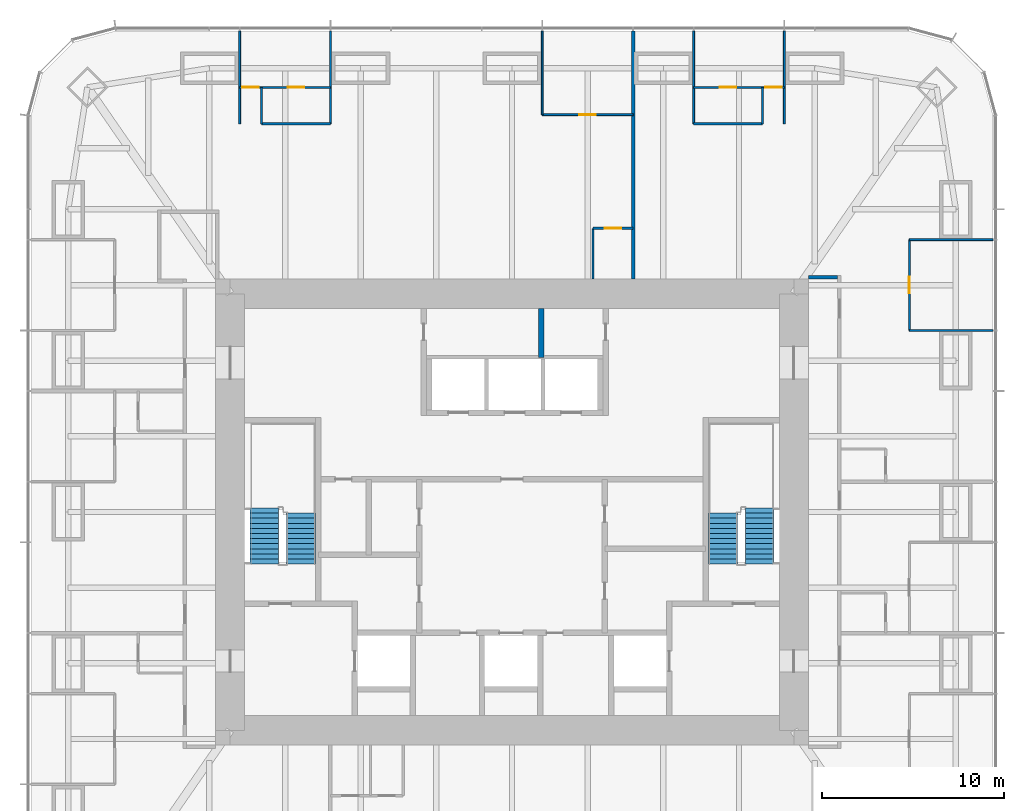
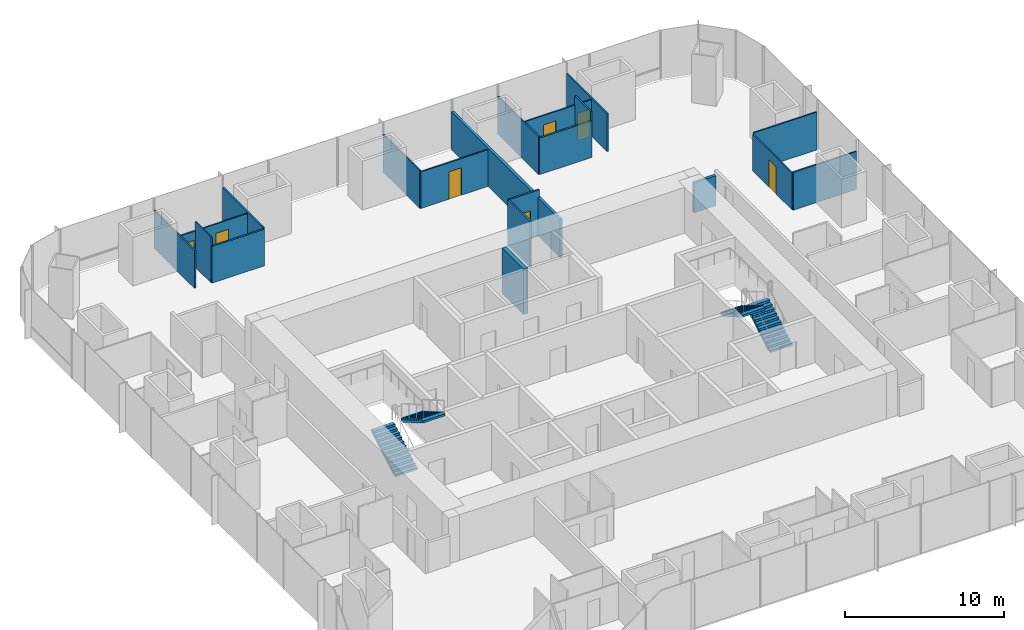
# One storey, part 11 of 12: 20 walls, 7 doors, 4 stair flights, 7 openings, 2 elements without a shape of their own.
"""IFC4 building model written with IfcOpenShell, lengths in metres."""

from ifc_helpers import new_model, si_unit, direction, frame, frame_2d, origin, place, context, subcontext, project, spatial, polyline, rectangle, outline, extrude, material, layer, layer_set, type_object, element, fill, aggregate, save


model = new_model("IFC4")

# Units and contexts
model_context = context("Model", 3, precision=1e-05, world=origin(), true_north=direction((0.0, 1.0)))
body_context = subcontext(model_context, "Body", "Model", "MODEL_VIEW")
ifc_project = project(units=[si_unit("LENGTHUNIT", "METRE"), si_unit("AREAUNIT", "SQUARE_METRE"), si_unit("VOLUMEUNIT", "CUBIC_METRE"), si_unit("PLANEANGLEUNIT", "RADIAN"), si_unit("MASSUNIT", "GRAM", prefix="KILO")], contexts=[model_context])

# Site, building, storey
site_placement = place(None, origin())
site = spatial("IfcSite", under=ifc_project, at=site_placement, CompositionType="ELEMENT")
building_placement = place(site_placement, origin())
building = spatial("IfcBuilding", under=site, at=building_placement, Name="Khuree Lantern Residences", CompositionType="ELEMENT")
storey_placement = place(building_placement, frame((0.0, 0.0, 203.25)))
storey = spatial("IfcBuildingStorey", under=building, at=storey_placement, Name="L50", CompositionType="ELEMENT", Elevation=203.25)

# Walls
ifc_material_1 = material(Name="Moisture-resistant gypsum board on steel studs", Category="steel")
ifc_layer_1 = layer(ifc_material_1, 0.125)
ifc_layer_set_1 = layer_set([ifc_layer_1], Name="BATHROOM WALL BTW125")
wall_type_1 = type_object("IfcWallType", Name="BATHROOM WALL BTW125", PredefinedType="PARTITIONING", material=ifc_layer_set_1)
for number, where, z_axis, x_axis, name in (
    (1, (13.77587890625, 21.344970703125, 0.0), (0.0, 0.0, 1.0), (-1.0, 0.0, 0.0), "L50 BATHROOM WALL 02"),
    (2, (-9.98388671875, 21.344970703125, 0.0), (0.0, 0.0, 1.0), (-1.0, 0.0, 0.0), "L50 BATHROOM WALL 03"),
):
    element("IfcWall", number, at=place(storey_placement, frame(where, z_axis=z_axis, x_axis=x_axis)), inside=storey, type_object=wall_type_1, Name=name, PredefinedType="PARTITIONING", context=body_context, shape_type="SweptSolid", body=[
        extrude(rectangle(XDim=3.7919921875, YDim=0.125, at=frame_2d((1.89599609375, 0.0))), origin(), (0.0, 0.0, 1.0), 2.81005859375),
    ])

# Wall, opening, door
wall_1_placement = place(storey_placement, frame((6.656005859375, 15.60009765625, 0.0), z_axis=(0.0, 0.0, 1.0), x_axis=(-1.0, 0.0, 0.0)))
wall_1 = element("IfcWall", 3, at=wall_1_placement, inside=storey, type_object=wall_type_1, Name="L50 BATHROOM WALL 03", PredefinedType="PARTITIONING", context=body_context, shape_type="SweptSolid", body=[
    extrude(rectangle(XDim=2.199951171875, YDim=0.125, at=frame_2d((1.10009765625, 0.0))), origin(), (0.0, 0.0, 1.0), 3.5),
])
opening_1_placement = place(wall_1_placement, frame((0.64990234375, 0.0, 0.0)))
opening_1 = element("IfcOpeningElement", 4, at=opening_1_placement, cuts=wall_1, Name="Opening 50-035", PredefinedType="OPENING", context=body_context, shape_type="SweptSolid", body=[
    extrude(rectangle(XDim=0.89990234375, YDim=2.10009765625, at=frame_2d((0.449951171875, 1.050048828125))), frame((0.0, 0.072509765625, 0.0), z_axis=(0.0, -1.0, 0.0), x_axis=(1.0, 0.0, 0.0)), (0.0, 0.0, 1.0), 0.14501953125),
])
ifc_material_2 = material(Name="Timber door leaf in hardwood frame", Category="wood")
door_type_1 = type_object("IfcDoorType", Name="BATHROOM DOOR 900X2100", OperationType="SINGLE_SWING_LEFT", PredefinedType="DOOR", material=ifc_material_2)
door_1_placement = place(opening_1_placement, origin())
door_1 = element("IfcDoor", 5, at=door_1_placement, inside=storey, type_object=door_type_1, Name="Bathroom door 50-035", OperationType="SINGLE_SWING_LEFT", OverallHeight=2.10009765625, OverallWidth=0.89990234375, PredefinedType="DOOR", context=body_context, shape_type="SweptSolid", body=[
    extrude(rectangle(XDim=0.89990234375, YDim=2.10009765625, at=frame_2d((0.449951171875, 1.050048828125))), frame((0.0, 0.02490234375, 0.0), z_axis=(0.0, -1.0, 0.0), x_axis=(1.0, 0.0, 0.0)), (0.0, 0.0, 1.0), 0.050048828125),
])
fill(opening_1, door_1)

# Walls
wall_2_placement = place(storey_placement, frame((4.4560546875, 12.800048828125, 0.0), z_axis=(0.0, 0.0, 1.0), x_axis=(0.0, 1.0, 0.0)))
element("IfcWall", 6, at=wall_2_placement, inside=storey, type_object=wall_type_1, Name="L50 BATHROOM WALL 03", PredefinedType="PARTITIONING", context=body_context, shape_type="SweptSolid", body=[
    extrude(rectangle(XDim=2.800048828125, YDim=0.125, at=frame_2d((1.39990234375, 0.0))), origin(), (0.0, 0.0, 1.0), 3.5),
])
ifc_material_3 = material(Name="Dense concrete blockwork", Category="masonry")
ifc_layer_2 = layer(ifc_material_3, 0.300048828125)
ifc_layer_set_2 = layer_set([ifc_layer_2], Name="CORE PARTITION WALL CPW300 EI 120")
wall_type_2 = type_object("IfcWallType", Name="CORE PARTITION WALL CPW300 EI 120", PredefinedType="PARTITIONING", material=ifc_layer_set_2)
wall_3_placement = place(storey_placement, frame((1.60009765625, 8.5, 0.0), z_axis=(0.0, 0.0, 1.0), x_axis=(0.0, 1.0, 0.0)))
element("IfcWall", 7, at=wall_3_placement, inside=storey, type_object=wall_type_2, Name="L50 CORE WALL NX", PredefinedType="PARTITIONING", context=body_context, shape_type="SweptSolid", body=[
    extrude(rectangle(XDim=2.699951171875, YDim=0.300048828125, at=frame_2d((1.35009765625, 0.0))), origin(), (0.0, 0.0, 1.0), 3.5),
])
ifc_material_4 = material(Name="Gypsum board on steel studs", Category="steel")
ifc_layer_3 = layer(ifc_material_4, 0.199951171875)
ifc_layer_set_3 = layer_set([ifc_layer_3], Name="CORRIDOR WALL CRW200 EI 60")
wall_type_3 = type_object("IfcWallType", Name="CORRIDOR WALL CRW200 EI 60", PredefinedType="PARTITIONING", material=ifc_layer_set_3)
wall_4_placement = place(storey_placement, frame((16.300048828125, 12.89990234375, 0.0), z_axis=(0.0, 0.0, 1.0), x_axis=(1.0, 0.0, 0.0)))
element("IfcWall", 8, at=wall_4_placement, inside=storey, type_object=wall_type_3, Name="L50 EAST CORRIDOR NORTH END WALL", PredefinedType="PARTITIONING", context=body_context, shape_type="SweptSolid", body=[
    extrude(rectangle(XDim=1.599853515625, YDim=0.199951171875, at=frame_2d((0.7998046875, 0.0))), origin(), (0.0, 0.0, 1.0), 2.300048828125),
])
ifc_layer_4 = layer(ifc_material_4, 0.199951171875)
ifc_layer_set_4 = layer_set([ifc_layer_4], Name="DEMISING WALL DMW200 EI 90")
wall_type_4 = type_object("IfcWallType", Name="DEMISING WALL DMW200 EI 90", PredefinedType="PARTITIONING", material=ifc_layer_set_4)
wall_5_placement = place(storey_placement, frame((6.656005859375, 12.800048828125, 0.0), z_axis=(0.0, 0.0, 1.0), x_axis=(0.0, 1.0, 0.0)))
element("IfcWall", 9, at=wall_5_placement, inside=storey, type_object=wall_type_4, Name="L50 DEMISING WALL 03", PredefinedType="PARTITIONING", context=body_context, shape_type="SweptSolid", body=[
    extrude(rectangle(XDim=13.64990234375, YDim=0.199951171875, at=frame_2d((6.824951171875, 0.0))), origin(), (0.0, 0.0, 1.0), 2.909912109375),
])
ifc_layer_5 = layer(ifc_material_4, 0.10009765625)
ifc_layer_set_5 = layer_set([ifc_layer_5], Name="PARTITION PT100")
wall_type_5 = type_object("IfcWallType", Name="PARTITION PT100", PredefinedType="PARTITIONING", material=ifc_layer_set_5)
for number, where, z_axis, x_axis, name in (
    (10, (21.85009765625, 9.98388671875, 0.0), (0.0, 0.0, 1.0), (1.0, 0.0, 0.0), "L50 PARTITION 02"),
    (11, (21.85009765625, 14.97607421875, 0.0), (0.0, 0.0, 1.0), (1.0, 0.0, 0.0), "L50 PARTITION 02"),
):
    element("IfcWall", number, at=place(storey_placement, frame(where, z_axis=z_axis, x_axis=x_axis)), inside=storey, type_object=wall_type_5, Name=name, PredefinedType="PARTITIONING", context=body_context, shape_type="SweptSolid", body=[
        extrude(rectangle(XDim=4.599853515625, YDim=0.10009765625, at=frame_2d((2.2998046875, 0.0))), origin(), (0.0, 0.0, 1.0), 2.909912109375),
    ])
for number, where, z_axis, x_axis, name in (
    (12, (14.97607421875, 21.344970703125, 0.0), (0.0, 0.0, 1.0), (0.0, 1.0, 0.0), "L50 PARTITION 02"),
    (13, (9.98388671875, 21.344970703125, 0.0), (0.0, 0.0, 1.0), (0.0, 1.0, 0.0), "L50 PARTITION 02"),
):
    element("IfcWall", number, at=place(storey_placement, frame(where, z_axis=z_axis, x_axis=x_axis)), inside=storey, type_object=wall_type_5, Name=name, PredefinedType="PARTITIONING", context=body_context, shape_type="SweptSolid", body=[
        extrude(rectangle(XDim=5.10498046875, YDim=0.10009765625, at=frame_2d((2.552490234375, 0.0))), origin(), (0.0, 0.0, 1.0), 2.909912109375),
    ])
wall_6_placement = place(storey_placement, frame((1.6640625, 21.85009765625, 0.0), z_axis=(0.0, 0.0, 1.0), x_axis=(0.0, 1.0, 0.0)))
element("IfcWall", 14, at=wall_6_placement, inside=storey, type_object=wall_type_5, Name="L50 PARTITION 03", PredefinedType="PARTITIONING", context=body_context, shape_type="SweptSolid", body=[
    extrude(rectangle(XDim=4.599853515625, YDim=0.10009765625, at=frame_2d((2.2998046875, 0.0))), origin(), (0.0, 0.0, 1.0), 2.909912109375),
])
for number, where, z_axis, x_axis, name in (
    (15, (-9.98388671875, 21.344970703125, 0.0), (0.0, 0.0, 1.0), (0.0, 1.0, 0.0), "L50 PARTITION 03"),
    (16, (-14.97607421875, 21.344970703125, 0.0), (0.0, 0.0, 1.0), (0.0, 1.0, 0.0), "L50 PARTITION 03"),
):
    element("IfcWall", number, at=place(storey_placement, frame(where, z_axis=z_axis, x_axis=x_axis)), inside=storey, type_object=wall_type_5, Name=name, PredefinedType="PARTITIONING", context=body_context, shape_type="SweptSolid", body=[
        extrude(rectangle(XDim=5.10498046875, YDim=0.10009765625, at=frame_2d((2.552490234375, 0.0))), origin(), (0.0, 0.0, 1.0), 2.909912109375),
    ])

# Wall, opening, door
wall_7_placement = place(storey_placement, frame((21.85009765625, 9.98388671875, 0.0), z_axis=(0.0, 0.0, 1.0), x_axis=(0.0, 1.0, 0.0)))
wall_7 = element("IfcWall", 17, at=wall_7_placement, inside=storey, type_object=wall_type_5, Name="L50 PARTITION 02", PredefinedType="PARTITIONING", context=body_context, shape_type="SweptSolid", body=[
    extrude(rectangle(XDim=4.9921875, YDim=0.10009765625, at=frame_2d((2.49609375, 0.0))), origin(), (0.0, 0.0, 1.0), 2.81005859375),
])
opening_2_placement = place(wall_7_placement, frame((2.0458984375, 0.0, 0.0)))
opening_2 = element("IfcOpeningElement", 18, at=opening_2_placement, cuts=wall_7, Name="Opening 50-026", PredefinedType="OPENING", context=body_context, shape_type="SweptSolid", body=[
    extrude(rectangle(XDim=0.89990234375, YDim=2.10009765625, at=frame_2d((0.449951171875, 1.050048828125))), frame((0.0, 0.06005859375, 0.0), z_axis=(0.0, -1.0, 0.0), x_axis=(1.0, 0.0, 0.0)), (0.0, 0.0, 1.0), 0.1201171875),
])
door_type_2 = type_object("IfcDoorType", Name="BEDROOM DOOR 900X2100", OperationType="SINGLE_SWING_LEFT", PredefinedType="DOOR", material=ifc_material_2)
door_2_placement = place(opening_2_placement, origin())
door_2 = element("IfcDoor", 19, at=door_2_placement, inside=storey, type_object=door_type_2, Name="Bedroom door 50-026", OperationType="SINGLE_SWING_LEFT", OverallHeight=2.10009765625, OverallWidth=0.89990234375, PredefinedType="DOOR", context=body_context, shape_type="SweptSolid", body=[
    extrude(rectangle(XDim=0.89990234375, YDim=2.10009765625, at=frame_2d((0.449951171875, 1.050048828125))), frame((0.0, 0.02490234375, 0.0), z_axis=(0.0, -1.0, 0.0), x_axis=(1.0, 0.0, 0.0)), (0.0, 0.0, 1.0), 0.050048828125),
])
fill(opening_2, door_2)

# Wall, openings, doors
wall_8_placement = place(storey_placement, frame((14.97607421875, 23.344970703125, 0.0), z_axis=(0.0, 0.0, 1.0), x_axis=(-1.0, 0.0, 0.0)))
wall_8 = element("IfcWall", 20, at=wall_8_placement, inside=storey, type_object=wall_type_5, Name="L50 PARTITION 02", PredefinedType="PARTITIONING", context=body_context, shape_type="SweptSolid", body=[
    extrude(rectangle(XDim=4.9921875, YDim=0.10009765625, at=frame_2d((2.49609375, 0.0))), origin(), (0.0, 0.0, 1.0), 2.81005859375),
])
opening_3_placement = place(wall_8_placement, frame((0.14990234375, 0.0, 0.0)))
opening_3 = element("IfcOpeningElement", 21, at=opening_3_placement, cuts=wall_8, Name="Opening 50-027", PredefinedType="OPENING", context=body_context, shape_type="SweptSolid", body=[
    extrude(rectangle(XDim=0.89990234375, YDim=2.10009765625, at=frame_2d((0.449951171875, 1.050048828125))), frame((0.0, 0.06005859375, 0.0), z_axis=(0.0, -1.0, 0.0), x_axis=(1.0, 0.0, 0.0)), (0.0, 0.0, 1.0), 0.1201171875),
])
opening_4_placement = place(wall_8_placement, frame((2.64599609375, 0.0, 0.0)))
opening_4 = element("IfcOpeningElement", 22, at=opening_4_placement, cuts=wall_8, Name="Opening 50-028", PredefinedType="OPENING", context=body_context, shape_type="SweptSolid", body=[
    extrude(rectangle(XDim=0.89990234375, YDim=2.10009765625, at=frame_2d((0.449951171875, 1.050048828125))), frame((0.0, 0.06005859375, 0.0), z_axis=(0.0, -1.0, 0.0), x_axis=(1.0, 0.0, 0.0)), (0.0, 0.0, 1.0), 0.1201171875),
])
door_3_placement = place(opening_4_placement, origin())
door_3 = element("IfcDoor", 23, at=door_3_placement, inside=storey, type_object=door_type_1, Name="Bathroom door 50-028", OperationType="SINGLE_SWING_LEFT", OverallHeight=2.10009765625, OverallWidth=0.89990234375, PredefinedType="DOOR", context=body_context, shape_type="SweptSolid", body=[
    extrude(rectangle(XDim=0.89990234375, YDim=2.10009765625, at=frame_2d((0.449951171875, 1.050048828125))), frame((0.0, 0.02490234375, 0.0), z_axis=(0.0, -1.0, 0.0), x_axis=(1.0, 0.0, 0.0)), (0.0, 0.0, 1.0), 0.050048828125),
])
fill(opening_4, door_3)
door_4_placement = place(opening_3_placement, origin())
door_4 = element("IfcDoor", 24, at=door_4_placement, inside=storey, type_object=door_type_2, Name="Bedroom door 50-027", OperationType="SINGLE_SWING_LEFT", OverallHeight=2.10009765625, OverallWidth=0.89990234375, PredefinedType="DOOR", context=body_context, shape_type="SweptSolid", body=[
    extrude(rectangle(XDim=0.89990234375, YDim=2.10009765625, at=frame_2d((0.449951171875, 1.050048828125))), frame((0.0, 0.02490234375, 0.0), z_axis=(0.0, -1.0, 0.0), x_axis=(1.0, 0.0, 0.0)), (0.0, 0.0, 1.0), 0.050048828125),
])
fill(opening_3, door_4)

# Wall
wall_9_placement = place(storey_placement, frame((13.77587890625, 21.344970703125, 0.0), z_axis=(0.0, 0.0, 1.0), x_axis=(0.0, 1.0, 0.0)))
element("IfcWall", 25, at=wall_9_placement, inside=storey, type_object=wall_type_5, Name="L50 PARTITION 02", PredefinedType="PARTITIONING", context=body_context, shape_type="SweptSolid", body=[
    extrude(rectangle(XDim=2.0, YDim=0.10009765625, at=frame_2d((1.0, 0.0))), origin(), (0.0, 0.0, 1.0), 3.5),
])

# Wall, opening, door
wall_10_placement = place(storey_placement, frame((6.656005859375, 21.85009765625, 0.0), z_axis=(0.0, 0.0, 1.0), x_axis=(-1.0, 0.0, 0.0)))
wall_10 = element("IfcWall", 26, at=wall_10_placement, inside=storey, type_object=wall_type_5, Name="L50 PARTITION 03", PredefinedType="PARTITIONING", context=body_context, shape_type="SweptSolid", body=[
    extrude(rectangle(XDim=4.991943359375, YDim=0.10009765625, at=frame_2d((2.49609375, 0.0))), origin(), (0.0, 0.0, 1.0), 2.81005859375),
])
opening_5_placement = place(wall_10_placement, frame((2.0458984375, 0.0, 0.0)))
opening_5 = element("IfcOpeningElement", 27, at=opening_5_placement, cuts=wall_10, Name="Opening 50-031", PredefinedType="OPENING", context=body_context, shape_type="SweptSolid", body=[
    extrude(rectangle(XDim=0.89990234375, YDim=2.10009765625, at=frame_2d((0.449951171875, 1.050048828125))), frame((0.0, 0.06005859375, 0.0), z_axis=(0.0, -1.0, 0.0), x_axis=(1.0, 0.0, 0.0)), (0.0, 0.0, 1.0), 0.1201171875),
])
door_5_placement = place(opening_5_placement, origin())
door_5 = element("IfcDoor", 28, at=door_5_placement, inside=storey, type_object=door_type_2, Name="Bedroom door 50-031", OperationType="SINGLE_SWING_LEFT", OverallHeight=2.10009765625, OverallWidth=0.89990234375, PredefinedType="DOOR", context=body_context, shape_type="SweptSolid", body=[
    extrude(rectangle(XDim=0.89990234375, YDim=2.10009765625, at=frame_2d((0.449951171875, 1.050048828125))), frame((0.0, 0.02490234375, 0.0), z_axis=(0.0, -1.0, 0.0), x_axis=(1.0, 0.0, 0.0)), (0.0, 0.0, 1.0), 0.050048828125),
])
fill(opening_5, door_5)

# Wall, openings, doors
wall_11_placement = place(storey_placement, frame((-9.98388671875, 23.344970703125, 0.0), z_axis=(0.0, 0.0, 1.0), x_axis=(-1.0, 0.0, 0.0)))
wall_11 = element("IfcWall", 29, at=wall_11_placement, inside=storey, type_object=wall_type_5, Name="L50 PARTITION 03", PredefinedType="PARTITIONING", context=body_context, shape_type="SweptSolid", body=[
    extrude(rectangle(XDim=4.9921875, YDim=0.10009765625, at=frame_2d((2.49609375, 0.0))), origin(), (0.0, 0.0, 1.0), 2.81005859375),
])
opening_6_placement = place(wall_11_placement, frame((3.94189453125, 0.0, 0.0)))
opening_6 = element("IfcOpeningElement", 30, at=opening_6_placement, cuts=wall_11, Name="Opening 50-032", PredefinedType="OPENING", context=body_context, shape_type="SweptSolid", body=[
    extrude(rectangle(XDim=0.89990234375, YDim=2.10009765625, at=frame_2d((0.449951171875, 1.050048828125))), frame((0.0, 0.06005859375, 0.0), z_axis=(0.0, -1.0, 0.0), x_axis=(1.0, 0.0, 0.0)), (0.0, 0.0, 1.0), 0.1201171875),
])
opening_7_placement = place(wall_11_placement, frame((1.446044921875, 0.0, 0.0)))
opening_7 = element("IfcOpeningElement", 31, at=opening_7_placement, cuts=wall_11, Name="Opening 50-033", PredefinedType="OPENING", context=body_context, shape_type="SweptSolid", body=[
    extrude(rectangle(XDim=0.89990234375, YDim=2.10009765625, at=frame_2d((0.449951171875, 1.050048828125))), frame((0.0, 0.06005859375, 0.0), z_axis=(0.0, -1.0, 0.0), x_axis=(1.0, 0.0, 0.0)), (0.0, 0.0, 1.0), 0.1201171875),
])
door_6_placement = place(opening_7_placement, origin())
door_6 = element("IfcDoor", 32, at=door_6_placement, inside=storey, type_object=door_type_1, Name="Bathroom door 50-033", OperationType="SINGLE_SWING_LEFT", OverallHeight=2.10009765625, OverallWidth=0.89990234375, PredefinedType="DOOR", context=body_context, shape_type="SweptSolid", body=[
    extrude(rectangle(XDim=0.89990234375, YDim=2.10009765625, at=frame_2d((0.449951171875, 1.050048828125))), frame((0.0, 0.02490234375, 0.0), z_axis=(0.0, -1.0, 0.0), x_axis=(1.0, 0.0, 0.0)), (0.0, 0.0, 1.0), 0.050048828125),
])
fill(opening_7, door_6)
door_7_placement = place(opening_6_placement, origin())
door_7 = element("IfcDoor", 33, at=door_7_placement, inside=storey, type_object=door_type_2, Name="Bedroom door 50-032", OperationType="SINGLE_SWING_LEFT", OverallHeight=2.10009765625, OverallWidth=0.89990234375, PredefinedType="DOOR", context=body_context, shape_type="SweptSolid", body=[
    extrude(rectangle(XDim=0.89990234375, YDim=2.10009765625, at=frame_2d((0.449951171875, 1.050048828125))), frame((0.0, 0.02490234375, 0.0), z_axis=(0.0, -1.0, 0.0), x_axis=(1.0, 0.0, 0.0)), (0.0, 0.0, 1.0), 0.050048828125),
])
fill(opening_6, door_7)

# Wall
wall_12_placement = place(storey_placement, frame((-13.77587890625, 21.344970703125, 0.0), z_axis=(0.0, 0.0, 1.0), x_axis=(0.0, 1.0, 0.0)))
element("IfcWall", 34, at=wall_12_placement, inside=storey, type_object=wall_type_5, Name="L50 PARTITION 03", PredefinedType="PARTITIONING", context=body_context, shape_type="SweptSolid", body=[
    extrude(rectangle(XDim=2.0, YDim=0.10009765625, at=frame_2d((1.0, 0.0))), origin(), (0.0, 0.0, 1.0), 3.5),
])

# Stair, stair flights
ifc_material_5 = material(Name="Concrete C40/50", Category="concrete")
stair_type = type_object("IfcStairType", Name="STAIR ST1 HALF TURN 3600", PredefinedType="HALF_TURN_STAIR", material=ifc_material_5)
stair_1_placement = place(storey_placement, origin())
stair_1 = element("IfcStair", 35, at=stair_1_placement, inside=storey, type_object=stair_type, Name="Stair ST1", PredefinedType="HALF_TURN_STAIR")
stair_flight_type = type_object("IfcStairFlightType", Name="STAIR FLIGHT SF1 1600", PredefinedType="STRAIGHT", material=ifc_material_5)
stair_flight_1_placement = place(storey_placement, frame((-13.60009765625, -2.860107421875, 0.0), z_axis=(0.0, 0.0, 1.0), x_axis=(0.0, 1.0, 0.0)))
stair_flight_1 = element("IfcStairFlight", 36, at=stair_flight_1_placement, type_object=stair_flight_type, Name="ST1 flight 1", NumberOfRisers=12, NumberOfTreads=11, PredefinedType="STRAIGHT", RiserHeight=0.163043478, TreadLength=0.28, context=body_context, shape_type="SweptSolid", body=[
    extrude(outline(polyline([(0.0, 0.0), (0.0, 0.1630859375), (0.280029296875, 0.1630859375), (0.280029296875, 0.326171875), (0.56005859375, 0.326171875), (0.56005859375, 0.489013671875), (0.840087890625, 0.489013671875), (0.840087890625, 0.652099609375), (1.1201171875, 0.652099609375), (1.1201171875, 0.815185546875), (1.39990234375, 0.815185546875), (1.39990234375, 0.978271484375), (1.679931640625, 0.978271484375), (1.679931640625, 1.141357421875), (1.9599609375, 1.141357421875), (1.9599609375, 1.304443359375), (2.239990234375, 1.304443359375), (2.239990234375, 1.46728515625), (2.52001953125, 1.46728515625), (2.52001953125, 1.63037109375), (2.800048828125, 1.63037109375), (2.800048828125, 1.79345703125), (3.080078125, 1.79345703125), (3.080078125, 1.95654296875), (3.080078125, 1.6201171875), (0.2978515625, 0.0), (0.0, 0.0)])), frame((0.0, 0.800048828125, 0.0), z_axis=(0.0, -1.0, 0.0), x_axis=(1.0, 0.0, 0.0)), (0.0, 0.0, 1.0), 1.60009765625),
])
stair_flight_2_placement = place(storey_placement, frame((-11.60009765625, -0.06005859375, 1.95654296875), z_axis=(0.0, 0.0, 1.0), x_axis=(0.0, -1.0, 0.0)))
stair_flight_2 = element("IfcStairFlight", 37, at=stair_flight_2_placement, type_object=stair_flight_type, Name="ST1 flight 2", NumberOfRisers=11, NumberOfTreads=10, PredefinedType="STRAIGHT", RiserHeight=0.163043478, TreadLength=0.28, context=body_context, shape_type="SweptSolid", body=[
    extrude(outline(polyline([(0.0, 0.0), (0.0, 0.1630859375), (0.280029296875, 0.1630859375), (0.280029296875, 0.326171875), (0.56005859375, 0.326171875), (0.56005859375, 0.489013671875), (0.840087890625, 0.489013671875), (0.840087890625, 0.652099609375), (1.1201171875, 0.652099609375), (1.1201171875, 0.815185546875), (1.39990234375, 0.815185546875), (1.39990234375, 0.978271484375), (1.679931640625, 0.978271484375), (1.679931640625, 1.141357421875), (1.9599609375, 1.141357421875), (1.9599609375, 1.304443359375), (2.239990234375, 1.304443359375), (2.239990234375, 1.46728515625), (2.52001953125, 1.46728515625), (2.52001953125, 1.63037109375), (2.800048828125, 1.63037109375), (2.800048828125, 1.79345703125), (2.800048828125, 1.45703125), (0.2978515625, 0.0), (0.0, 0.0)])), frame((0.0, 0.800048828125, 0.0), z_axis=(0.0, -1.0, 0.0), x_axis=(1.0, 0.0, 0.0)), (0.0, 0.0, 1.0), 1.60009765625),
])
aggregate(stair_1, [stair_flight_1, stair_flight_2])

stair_2_placement = place(storey_placement, origin())
stair_2 = element("IfcStair", 38, at=stair_2_placement, inside=storey, type_object=stair_type, Name="Stair ST2", PredefinedType="HALF_TURN_STAIR")
stair_flight_3_placement = place(storey_placement, frame((13.60009765625, -2.860107421875, 0.0), z_axis=(0.0, 0.0, 1.0), x_axis=(0.0, 1.0, 0.0)))
stair_flight_3 = element("IfcStairFlight", 39, at=stair_flight_3_placement, type_object=stair_flight_type, Name="ST2 flight 1", NumberOfRisers=12, NumberOfTreads=11, PredefinedType="STRAIGHT", RiserHeight=0.163043478, TreadLength=0.28, context=body_context, shape_type="SweptSolid", body=[
    extrude(outline(polyline([(0.0, 0.0), (0.0, 0.1630859375), (0.280029296875, 0.1630859375), (0.280029296875, 0.326171875), (0.56005859375, 0.326171875), (0.56005859375, 0.489013671875), (0.840087890625, 0.489013671875), (0.840087890625, 0.652099609375), (1.1201171875, 0.652099609375), (1.1201171875, 0.815185546875), (1.39990234375, 0.815185546875), (1.39990234375, 0.978271484375), (1.679931640625, 0.978271484375), (1.679931640625, 1.141357421875), (1.9599609375, 1.141357421875), (1.9599609375, 1.304443359375), (2.239990234375, 1.304443359375), (2.239990234375, 1.46728515625), (2.52001953125, 1.46728515625), (2.52001953125, 1.63037109375), (2.800048828125, 1.63037109375), (2.800048828125, 1.79345703125), (3.080078125, 1.79345703125), (3.080078125, 1.95654296875), (3.080078125, 1.6201171875), (0.2978515625, 0.0), (0.0, 0.0)])), frame((0.0, 0.800048828125, 0.0), z_axis=(0.0, -1.0, 0.0), x_axis=(1.0, 0.0, 0.0)), (0.0, 0.0, 1.0), 1.60009765625),
])
stair_flight_4_placement = place(storey_placement, frame((11.60009765625, -0.06005859375, 1.95654296875), z_axis=(0.0, 0.0, 1.0), x_axis=(0.0, -1.0, 0.0)))
stair_flight_4 = element("IfcStairFlight", 40, at=stair_flight_4_placement, type_object=stair_flight_type, Name="ST2 flight 2", NumberOfRisers=11, NumberOfTreads=10, PredefinedType="STRAIGHT", RiserHeight=0.163043478, TreadLength=0.28, context=body_context, shape_type="SweptSolid", body=[
    extrude(outline(polyline([(0.0, 0.0), (0.0, 0.1630859375), (0.280029296875, 0.1630859375), (0.280029296875, 0.326171875), (0.56005859375, 0.326171875), (0.56005859375, 0.489013671875), (0.840087890625, 0.489013671875), (0.840087890625, 0.652099609375), (1.1201171875, 0.652099609375), (1.1201171875, 0.815185546875), (1.39990234375, 0.815185546875), (1.39990234375, 0.978271484375), (1.679931640625, 0.978271484375), (1.679931640625, 1.141357421875), (1.9599609375, 1.141357421875), (1.9599609375, 1.304443359375), (2.239990234375, 1.304443359375), (2.239990234375, 1.46728515625), (2.52001953125, 1.46728515625), (2.52001953125, 1.63037109375), (2.800048828125, 1.63037109375), (2.800048828125, 1.79345703125), (2.800048828125, 1.45703125), (0.2978515625, 0.0), (0.0, 0.0)])), frame((0.0, 0.800048828125, 0.0), z_axis=(0.0, -1.0, 0.0), x_axis=(1.0, 0.0, 0.0)), (0.0, 0.0, 1.0), 1.60009765625),
])
aggregate(stair_2, [stair_flight_3, stair_flight_4])

save(model, "model.ifc")
